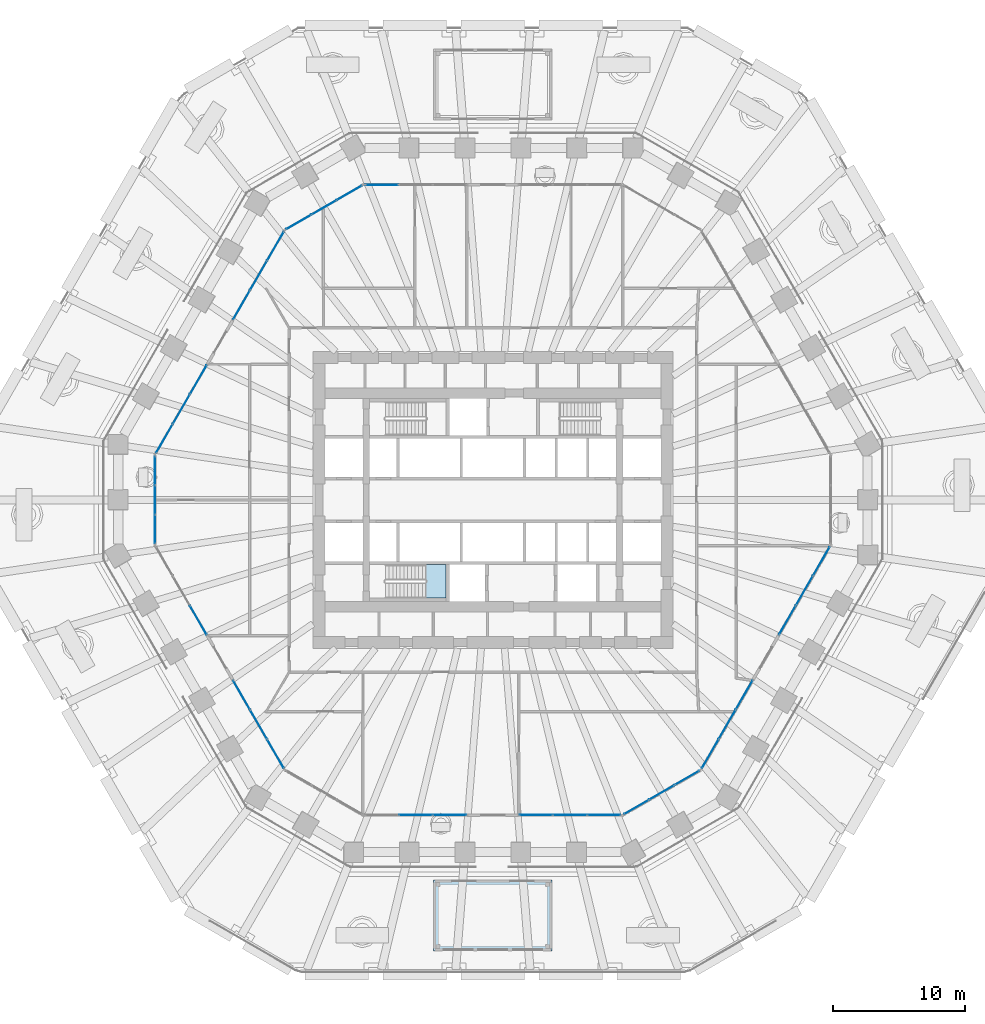
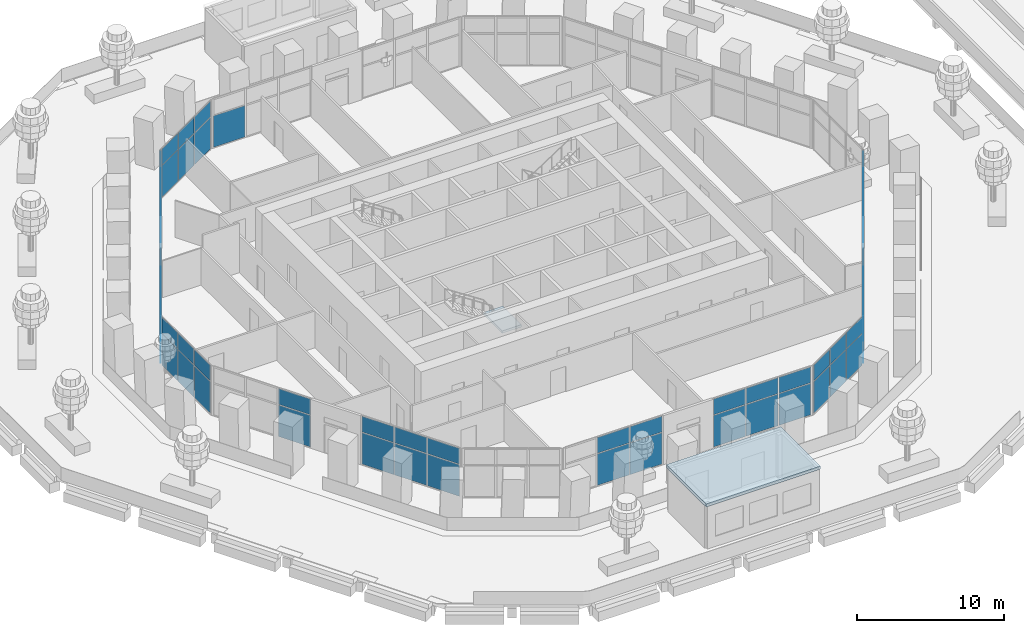
# One storey, part 19 of 32: 61 plates, 2 slabs, 13 elements without a shape of their own.
"""IFC4 building model written with IfcOpenShell, lengths in metres."""

from ifc_helpers import new_model, si_unit, direction, frame, origin, origin_2d, place, context, subcontext, project, spatial, polyline, rectangle, outline, extrude, material, layer, layer_set, type_object, element, aggregate, save


model = new_model("IFC4")

# Units and contexts
model_context = context("Model", 3, precision=1e-05, world=origin(), true_north=direction((0.0, 1.0)))
body_context = subcontext(model_context, "Body", "Model", "MODEL_VIEW")
ifc_project = project(units=[si_unit("LENGTHUNIT", "METRE"), si_unit("AREAUNIT", "SQUARE_METRE"), si_unit("VOLUMEUNIT", "CUBIC_METRE"), si_unit("PLANEANGLEUNIT", "RADIAN"), si_unit("MASSUNIT", "GRAM", prefix="KILO")], contexts=[model_context])

# Site, building, storey
site_placement = place(None, origin())
site = spatial("IfcSite", under=ifc_project, at=site_placement, CompositionType="ELEMENT")
building_placement = place(site_placement, origin())
building = spatial("IfcBuilding", under=site, at=building_placement, Name="Frailejon Research Tower", CompositionType="ELEMENT")
storey_placement = place(building_placement, frame((0.0, 0.0, 14.60009765625)))
storey = spatial("IfcBuildingStorey", under=building, at=storey_placement, Name="L03", CompositionType="ELEMENT", Elevation=14.60009765625)

# Curtain wall, plate
ifc_material_1 = material(Name="Aluminium curtain wall", Category="aluminium")
curtain_wall_type = type_object("IfcCurtainWallType", Name="Base zone unitised curtain wall system", PredefinedType="NOTDEFINED", material=ifc_material_1)
curtain_wall_1_placement = place(storey_placement, origin())
curtain_wall_1 = element("IfcCurtainWall", 1, at=curtain_wall_1_placement, inside=storey, type_object=curtain_wall_type, Name="Curtain wall L03", PredefinedType="NOTDEFINED")
ifc_material_2 = material(Name="Clear laminated glass", Category="glass")
ifc_layer_1 = layer(ifc_material_2, 0.028076171875)
ifc_layer_set_1 = layer_set([ifc_layer_1], Name="Base zone unitised curtain wall glass panel 28")
plate_type = type_object("IfcPlateType", Name="Base zone unitised curtain wall glass panel 28", PredefinedType="CURTAIN_PANEL", material=ifc_layer_set_1)
plate_1_placement = place(storey_placement, frame((-8.420654296875, 23.89990234375, 0.06005859375), z_axis=(0.0, 0.0, 1.0), x_axis=(-1.0, 0.0, 0.0)))
plate_1 = element("IfcPlate", 2, at=plate_1_placement, type_object=plate_type, Name="CW3-050 panel 3.1", PredefinedType="CURTAIN_PANEL", context=body_context, shape_type="SweptSolid", body=[
    extrude(rectangle(XDim=2.497802734375, YDim=0.028076171875, at=origin_2d()), origin(), (0.0, 0.0, 1.0), 2.610107421875),
])
aggregate(curtain_wall_1, [plate_1])

# Curtain wall, plates
curtain_wall_2_placement = place(storey_placement, origin())
curtain_wall_2 = element("IfcCurtainWall", 3, at=curtain_wall_2_placement, inside=storey, type_object=curtain_wall_type, Name="Curtain wall L03", PredefinedType="NOTDEFINED")
plate_2_placement = place(storey_placement, frame((-10.892578125, 23.286376953125, 0.06005859375), z_axis=(0.0, 0.0, 1.0), x_axis=(-0.866026409075, -0.499998258782, 0.0)))
plate_2 = element("IfcPlate", 4, at=plate_2_placement, type_object=plate_type, Name="CW3-051 panel 1.1", PredefinedType="CURTAIN_PANEL", context=body_context, shape_type="SweptSolid", body=[
    extrude(rectangle(XDim=2.134765625, YDim=0.028076171875, at=origin_2d()), origin(), (0.0, 0.0, 1.0), 2.610107421875),
])
plate_3_placement = place(storey_placement, frame((-10.892578125, 23.286376953125, 2.72998046875), z_axis=(0.0, 0.0, 1.0), x_axis=(-0.866026409075, -0.499998258782, 0.0)))
plate_3 = element("IfcPlate", 5, at=plate_3_placement, type_object=plate_type, Name="CW3-051 panel 1.2", PredefinedType="CURTAIN_PANEL", context=body_context, shape_type="SweptSolid", body=[
    extrude(rectangle(XDim=2.134765625, YDim=0.028076171875, at=origin_2d()), origin(), (0.0, 0.0, 1.0), 1.31005859375),
])
plate_4_placement = place(storey_placement, frame((-12.806396484375, 22.181396484375, 0.06005859375), z_axis=(0.0, 0.0, 1.0), x_axis=(-0.866026409075, -0.499998258782, 0.0)))
plate_4 = element("IfcPlate", 6, at=plate_4_placement, type_object=plate_type, Name="CW3-051 panel 2.1", PredefinedType="CURTAIN_PANEL", context=body_context, shape_type="SweptSolid", body=[
    extrude(rectangle(XDim=2.164794921875, YDim=0.028076171875, at=origin_2d()), origin(), (0.0, 0.0, 1.0), 2.610107421875),
])
plate_5_placement = place(storey_placement, frame((-12.806396484375, 22.181396484375, 2.72998046875), z_axis=(0.0, 0.0, 1.0), x_axis=(-0.866026409075, -0.499998258782, 0.0)))
plate_5 = element("IfcPlate", 7, at=plate_5_placement, type_object=plate_type, Name="CW3-051 panel 2.2", PredefinedType="CURTAIN_PANEL", context=body_context, shape_type="SweptSolid", body=[
    extrude(rectangle(XDim=2.164794921875, YDim=0.028076171875, at=origin_2d()), origin(), (0.0, 0.0, 1.0), 1.31005859375),
])
plate_6_placement = place(storey_placement, frame((-14.72021484375, 21.076416015625, 0.06005859375), z_axis=(0.0, 0.0, 1.0), x_axis=(-0.866026409075, -0.499998258782, 0.0)))
plate_6 = element("IfcPlate", 8, at=plate_6_placement, type_object=plate_type, Name="CW3-051 panel 3.1", PredefinedType="CURTAIN_PANEL", context=body_context, shape_type="SweptSolid", body=[
    extrude(rectangle(XDim=2.134765625, YDim=0.028076171875, at=origin_2d()), origin(), (0.0, 0.0, 1.0), 2.610107421875),
])
plate_7_placement = place(storey_placement, frame((-14.72021484375, 21.076416015625, 2.72998046875), z_axis=(0.0, 0.0, 1.0), x_axis=(-0.866026409075, -0.499998258782, 0.0)))
plate_7 = element("IfcPlate", 9, at=plate_7_placement, type_object=plate_type, Name="CW3-051 panel 3.2", PredefinedType="CURTAIN_PANEL", context=body_context, shape_type="SweptSolid", body=[
    extrude(rectangle(XDim=2.134765625, YDim=0.028076171875, at=origin_2d()), origin(), (0.0, 0.0, 1.0), 1.31005859375),
])
aggregate(curtain_wall_2, [plate_2, plate_3, plate_4, plate_5, plate_6, plate_7])

curtain_wall_3_placement = place(storey_placement, origin())
curtain_wall_3 = element("IfcCurtainWall", 10, at=curtain_wall_3_placement, inside=storey, type_object=curtain_wall_type, Name="Curtain wall L03", PredefinedType="NOTDEFINED")
plate_8_placement = place(storey_placement, frame((-16.487548828125, 19.242431640625, 0.06005859375), z_axis=(0.0, 0.0, 1.0), x_axis=(-0.499993018474, -0.866029434533, 0.0)))
plate_8 = element("IfcPlate", 11, at=plate_8_placement, type_object=plate_type, Name="CW3-052 panel 1.1", PredefinedType="CURTAIN_PANEL", context=body_context, shape_type="SweptSolid", body=[
    extrude(rectangle(XDim=2.497802734375, YDim=0.028076171875, at=origin_2d()), origin(), (0.0, 0.0, 1.0), 2.610107421875),
])
plate_9_placement = place(storey_placement, frame((-16.487548828125, 19.242431640625, 2.72998046875), z_axis=(0.0, 0.0, 1.0), x_axis=(-0.499993018474, -0.866029434533, 0.0)))
plate_9 = element("IfcPlate", 12, at=plate_9_placement, type_object=plate_type, Name="CW3-052 panel 1.2", PredefinedType="CURTAIN_PANEL", context=body_context, shape_type="SweptSolid", body=[
    extrude(rectangle(XDim=2.497802734375, YDim=0.028076171875, at=origin_2d()), origin(), (0.0, 0.0, 1.0), 1.31005859375),
])
plate_10_placement = place(storey_placement, frame((-17.774169921875, 17.014404296875, 0.06005859375), z_axis=(0.0, 0.0, 1.0), x_axis=(-0.499993018474, -0.866029434533, 0.0)))
plate_10 = element("IfcPlate", 13, at=plate_10_placement, type_object=plate_type, Name="CW3-052 panel 2.1", PredefinedType="CURTAIN_PANEL", context=body_context, shape_type="SweptSolid", body=[
    extrude(rectangle(XDim=2.52783203125, YDim=0.028076171875, at=origin_2d()), origin(), (0.0, 0.0, 1.0), 2.610107421875),
])
plate_11_placement = place(storey_placement, frame((-17.774169921875, 17.014404296875, 2.72998046875), z_axis=(0.0, 0.0, 1.0), x_axis=(-0.499993018474, -0.866029434533, 0.0)))
plate_11 = element("IfcPlate", 14, at=plate_11_placement, type_object=plate_type, Name="CW3-052 panel 2.2", PredefinedType="CURTAIN_PANEL", context=body_context, shape_type="SweptSolid", body=[
    extrude(rectangle(XDim=2.52783203125, YDim=0.028076171875, at=origin_2d()), origin(), (0.0, 0.0, 1.0), 1.31005859375),
])
plate_12_placement = place(storey_placement, frame((-19.060546875, 14.7861328125, 0.06005859375), z_axis=(0.0, 0.0, 1.0), x_axis=(-0.499993018474, -0.866029434533, 0.0)))
plate_12 = element("IfcPlate", 15, at=plate_12_placement, type_object=plate_type, Name="CW3-052 panel 3.1", PredefinedType="CURTAIN_PANEL", context=body_context, shape_type="SweptSolid", body=[
    extrude(rectangle(XDim=2.497802734375, YDim=0.028076171875, at=origin_2d()), origin(), (0.0, 0.0, 1.0), 2.610107421875),
])
plate_13_placement = place(storey_placement, frame((-19.060546875, 14.7861328125, 2.72998046875), z_axis=(0.0, 0.0, 1.0), x_axis=(-0.499993018474, -0.866029434533, 0.0)))
plate_13 = element("IfcPlate", 16, at=plate_13_placement, type_object=plate_type, Name="CW3-052 panel 3.2", PredefinedType="CURTAIN_PANEL", context=body_context, shape_type="SweptSolid", body=[
    extrude(rectangle(XDim=2.497802734375, YDim=0.028076171875, at=origin_2d()), origin(), (0.0, 0.0, 1.0), 1.31005859375),
])
aggregate(curtain_wall_3, [plate_8, plate_9, plate_10, plate_11, plate_12, plate_13])

curtain_wall_4_placement = place(storey_placement, origin())
curtain_wall_4 = element("IfcCurtainWall", 17, at=curtain_wall_4_placement, inside=storey, type_object=curtain_wall_type, Name="Curtain wall L03", PredefinedType="NOTDEFINED")
plate_14_placement = place(storey_placement, frame((-22.33544921875, 9.114013671875, 0.06005859375), z_axis=(0.0, 0.0, 1.0), x_axis=(-0.499993018474, -0.866029434533, 0.0)))
plate_14 = element("IfcPlate", 18, at=plate_14_placement, type_object=plate_type, Name="CW3-053 panel 1.1", PredefinedType="CURTAIN_PANEL", context=body_context, shape_type="SweptSolid", body=[
    extrude(rectangle(XDim=2.497802734375, YDim=0.028076171875, at=origin_2d()), origin(), (0.0, 0.0, 1.0), 2.610107421875),
])
plate_15_placement = place(storey_placement, frame((-22.33544921875, 9.114013671875, 2.72998046875), z_axis=(0.0, 0.0, 1.0), x_axis=(-0.499993018474, -0.866029434533, 0.0)))
plate_15 = element("IfcPlate", 19, at=plate_15_placement, type_object=plate_type, Name="CW3-053 panel 1.2", PredefinedType="CURTAIN_PANEL", context=body_context, shape_type="SweptSolid", body=[
    extrude(rectangle(XDim=2.497802734375, YDim=0.028076171875, at=origin_2d()), origin(), (0.0, 0.0, 1.0), 1.31005859375),
])
plate_16_placement = place(storey_placement, frame((-23.621826171875, 6.8857421875, 0.06005859375), z_axis=(0.0, 0.0, 1.0), x_axis=(-0.499993018474, -0.866029434533, 0.0)))
plate_16 = element("IfcPlate", 20, at=plate_16_placement, type_object=plate_type, Name="CW3-053 panel 2.1", PredefinedType="CURTAIN_PANEL", context=body_context, shape_type="SweptSolid", body=[
    extrude(rectangle(XDim=2.52783203125, YDim=0.028076171875, at=origin_2d()), origin(), (0.0, 0.0, 1.0), 2.610107421875),
])
plate_17_placement = place(storey_placement, frame((-23.621826171875, 6.8857421875, 2.72998046875), z_axis=(0.0, 0.0, 1.0), x_axis=(-0.499993018474, -0.866029434533, 0.0)))
plate_17 = element("IfcPlate", 21, at=plate_17_placement, type_object=plate_type, Name="CW3-053 panel 2.2", PredefinedType="CURTAIN_PANEL", context=body_context, shape_type="SweptSolid", body=[
    extrude(rectangle(XDim=2.52783203125, YDim=0.028076171875, at=origin_2d()), origin(), (0.0, 0.0, 1.0), 1.31005859375),
])
plate_18_placement = place(storey_placement, frame((-24.908447265625, 4.657470703125, 0.06005859375), z_axis=(0.0, 0.0, 1.0), x_axis=(-0.499993018474, -0.866029434533, 0.0)))
plate_18 = element("IfcPlate", 22, at=plate_18_placement, type_object=plate_type, Name="CW3-053 panel 3.1", PredefinedType="CURTAIN_PANEL", context=body_context, shape_type="SweptSolid", body=[
    extrude(rectangle(XDim=2.497802734375, YDim=0.028076171875, at=origin_2d()), origin(), (0.0, 0.0, 1.0), 2.610107421875),
])
plate_19_placement = place(storey_placement, frame((-24.908447265625, 4.657470703125, 2.72998046875), z_axis=(0.0, 0.0, 1.0), x_axis=(-0.499993018474, -0.866029434533, 0.0)))
plate_19 = element("IfcPlate", 23, at=plate_19_placement, type_object=plate_type, Name="CW3-053 panel 3.2", PredefinedType="CURTAIN_PANEL", context=body_context, shape_type="SweptSolid", body=[
    extrude(rectangle(XDim=2.497802734375, YDim=0.028076171875, at=origin_2d()), origin(), (0.0, 0.0, 1.0), 1.31005859375),
])
aggregate(curtain_wall_4, [plate_14, plate_15, plate_16, plate_17, plate_18, plate_19])

curtain_wall_5_placement = place(storey_placement, origin())
curtain_wall_5 = element("IfcCurtainWall", 24, at=curtain_wall_5_placement, inside=storey, type_object=curtain_wall_type, Name="Curtain wall L03", PredefinedType="NOTDEFINED")
plate_20_placement = place(storey_placement, frame((-25.61279296875, 2.2099609375, 0.06005859375), z_axis=(0.0, 0.0, 1.0), x_axis=(0.0, -1.0, 0.0)))
plate_20 = element("IfcPlate", 25, at=plate_20_placement, type_object=plate_type, Name="CW3-054 panel 1.1", PredefinedType="CURTAIN_PANEL", context=body_context, shape_type="SweptSolid", body=[
    extrude(rectangle(XDim=2.134765625, YDim=0.028076171875, at=origin_2d()), origin(), (0.0, 0.0, 1.0), 2.610107421875),
])
plate_21_placement = place(storey_placement, frame((-25.61279296875, 2.2099609375, 2.72998046875), z_axis=(0.0, 0.0, 1.0), x_axis=(0.0, -1.0, 0.0)))
plate_21 = element("IfcPlate", 26, at=plate_21_placement, type_object=plate_type, Name="CW3-054 panel 1.2", PredefinedType="CURTAIN_PANEL", context=body_context, shape_type="SweptSolid", body=[
    extrude(rectangle(XDim=2.134765625, YDim=0.028076171875, at=origin_2d()), origin(), (0.0, 0.0, 1.0), 1.31005859375),
])
plate_22_placement = place(storey_placement, frame((-25.61279296875, 0.0, 0.06005859375), z_axis=(0.0, 0.0, 1.0), x_axis=(0.0, -1.0, 0.0)))
plate_22 = element("IfcPlate", 27, at=plate_22_placement, type_object=plate_type, Name="CW3-054 panel 2.1", PredefinedType="CURTAIN_PANEL", context=body_context, shape_type="SweptSolid", body=[
    extrude(rectangle(XDim=2.164794921875, YDim=0.028076171875, at=origin_2d()), origin(), (0.0, 0.0, 1.0), 2.610107421875),
])
plate_23_placement = place(storey_placement, frame((-25.61279296875, 0.0, 2.72998046875), z_axis=(0.0, 0.0, 1.0), x_axis=(0.0, -1.0, 0.0)))
plate_23 = element("IfcPlate", 28, at=plate_23_placement, type_object=plate_type, Name="CW3-054 panel 2.2", PredefinedType="CURTAIN_PANEL", context=body_context, shape_type="SweptSolid", body=[
    extrude(rectangle(XDim=2.164794921875, YDim=0.028076171875, at=origin_2d()), origin(), (0.0, 0.0, 1.0), 1.31005859375),
])
plate_24_placement = place(storey_placement, frame((-25.61279296875, -2.2099609375, 0.06005859375), z_axis=(0.0, 0.0, 1.0), x_axis=(0.0, -1.0, 0.0)))
plate_24 = element("IfcPlate", 29, at=plate_24_placement, type_object=plate_type, Name="CW3-054 panel 3.1", PredefinedType="CURTAIN_PANEL", context=body_context, shape_type="SweptSolid", body=[
    extrude(rectangle(XDim=2.134765625, YDim=0.028076171875, at=origin_2d()), origin(), (0.0, 0.0, 1.0), 2.610107421875),
])
plate_25_placement = place(storey_placement, frame((-25.61279296875, -2.2099609375, 2.72998046875), z_axis=(0.0, 0.0, 1.0), x_axis=(0.0, -1.0, 0.0)))
plate_25 = element("IfcPlate", 30, at=plate_25_placement, type_object=plate_type, Name="CW3-054 panel 3.2", PredefinedType="CURTAIN_PANEL", context=body_context, shape_type="SweptSolid", body=[
    extrude(rectangle(XDim=2.134765625, YDim=0.028076171875, at=origin_2d()), origin(), (0.0, 0.0, 1.0), 1.31005859375),
])
aggregate(curtain_wall_5, [plate_20, plate_21, plate_22, plate_23, plate_24, plate_25])

curtain_wall_6_placement = place(storey_placement, origin())
curtain_wall_6 = element("IfcCurtainWall", 31, at=curtain_wall_6_placement, inside=storey, type_object=curtain_wall_type, Name="Curtain wall L03", PredefinedType="NOTDEFINED")
plate_26_placement = place(storey_placement, frame((-22.33544921875, -9.114013671875, 0.06005859375), z_axis=(0.0, 0.0, 1.0), x_axis=(0.499993018474, -0.866029434533, 0.0)))
plate_26 = element("IfcPlate", 32, at=plate_26_placement, type_object=plate_type, Name="CW3-055 panel 3.1", PredefinedType="CURTAIN_PANEL", context=body_context, shape_type="SweptSolid", body=[
    extrude(rectangle(XDim=2.497802734375, YDim=0.028076171875, at=origin_2d()), origin(), (0.0, 0.0, 1.0), 2.610107421875),
])
plate_27_placement = place(storey_placement, frame((-22.33544921875, -9.114013671875, 2.72998046875), z_axis=(0.0, 0.0, 1.0), x_axis=(0.499993018474, -0.866029434533, 0.0)))
plate_27 = element("IfcPlate", 33, at=plate_27_placement, type_object=plate_type, Name="CW3-055 panel 3.2", PredefinedType="CURTAIN_PANEL", context=body_context, shape_type="SweptSolid", body=[
    extrude(rectangle(XDim=2.497802734375, YDim=0.028076171875, at=origin_2d()), origin(), (0.0, 0.0, 1.0), 1.31005859375),
])
aggregate(curtain_wall_6, [plate_26, plate_27])

curtain_wall_7_placement = place(storey_placement, origin())
curtain_wall_7 = element("IfcCurtainWall", 34, at=curtain_wall_7_placement, inside=storey, type_object=curtain_wall_type, Name="Curtain wall L03", PredefinedType="NOTDEFINED")
plate_28_placement = place(storey_placement, frame((-19.060546875, -14.7861328125, 0.06005859375), z_axis=(0.0, 0.0, 1.0), x_axis=(0.499993018474, -0.866029434533, 0.0)))
plate_28 = element("IfcPlate", 35, at=plate_28_placement, type_object=plate_type, Name="CW3-056 panel 1.1", PredefinedType="CURTAIN_PANEL", context=body_context, shape_type="SweptSolid", body=[
    extrude(rectangle(XDim=2.497802734375, YDim=0.028076171875, at=origin_2d()), origin(), (0.0, 0.0, 1.0), 2.610107421875),
])
plate_29_placement = place(storey_placement, frame((-19.060546875, -14.7861328125, 2.72998046875), z_axis=(0.0, 0.0, 1.0), x_axis=(0.499993018474, -0.866029434533, 0.0)))
plate_29 = element("IfcPlate", 36, at=plate_29_placement, type_object=plate_type, Name="CW3-056 panel 1.2", PredefinedType="CURTAIN_PANEL", context=body_context, shape_type="SweptSolid", body=[
    extrude(rectangle(XDim=2.497802734375, YDim=0.028076171875, at=origin_2d()), origin(), (0.0, 0.0, 1.0), 1.31005859375),
])
plate_30_placement = place(storey_placement, frame((-17.774169921875, -17.014404296875, 0.06005859375), z_axis=(0.0, 0.0, 1.0), x_axis=(0.499993018474, -0.866029434533, 0.0)))
plate_30 = element("IfcPlate", 37, at=plate_30_placement, type_object=plate_type, Name="CW3-056 panel 2.1", PredefinedType="CURTAIN_PANEL", context=body_context, shape_type="SweptSolid", body=[
    extrude(rectangle(XDim=2.52783203125, YDim=0.028076171875, at=origin_2d()), origin(), (0.0, 0.0, 1.0), 2.610107421875),
])
plate_31_placement = place(storey_placement, frame((-17.774169921875, -17.014404296875, 2.72998046875), z_axis=(0.0, 0.0, 1.0), x_axis=(0.499993018474, -0.866029434533, 0.0)))
plate_31 = element("IfcPlate", 38, at=plate_31_placement, type_object=plate_type, Name="CW3-056 panel 2.2", PredefinedType="CURTAIN_PANEL", context=body_context, shape_type="SweptSolid", body=[
    extrude(rectangle(XDim=2.52783203125, YDim=0.028076171875, at=origin_2d()), origin(), (0.0, 0.0, 1.0), 1.31005859375),
])
plate_32_placement = place(storey_placement, frame((-16.487548828125, -19.242431640625, 0.06005859375), z_axis=(0.0, 0.0, 1.0), x_axis=(0.499993018474, -0.866029434533, 0.0)))
plate_32 = element("IfcPlate", 39, at=plate_32_placement, type_object=plate_type, Name="CW3-056 panel 3.1", PredefinedType="CURTAIN_PANEL", context=body_context, shape_type="SweptSolid", body=[
    extrude(rectangle(XDim=2.497802734375, YDim=0.028076171875, at=origin_2d()), origin(), (0.0, 0.0, 1.0), 2.610107421875),
])
plate_33_placement = place(storey_placement, frame((-16.487548828125, -19.242431640625, 2.72998046875), z_axis=(0.0, 0.0, 1.0), x_axis=(0.499993018474, -0.866029434533, 0.0)))
plate_33 = element("IfcPlate", 40, at=plate_33_placement, type_object=plate_type, Name="CW3-056 panel 3.2", PredefinedType="CURTAIN_PANEL", context=body_context, shape_type="SweptSolid", body=[
    extrude(rectangle(XDim=2.497802734375, YDim=0.028076171875, at=origin_2d()), origin(), (0.0, 0.0, 1.0), 1.31005859375),
])
aggregate(curtain_wall_7, [plate_28, plate_29, plate_30, plate_31, plate_32, plate_33])

curtain_wall_8_placement = place(storey_placement, origin())
curtain_wall_8 = element("IfcCurtainWall", 41, at=curtain_wall_8_placement, inside=storey, type_object=curtain_wall_type, Name="Curtain wall L03", PredefinedType="NOTDEFINED")
plate_34_placement = place(storey_placement, frame((-5.84765625, -23.89990234375, 0.06005859375), z_axis=(0.0, 0.0, 1.0), x_axis=(1.0, 0.0, 0.0)))
plate_34 = element("IfcPlate", 42, at=plate_34_placement, type_object=plate_type, Name="CW3-058 panel 2.1", PredefinedType="CURTAIN_PANEL", context=body_context, shape_type="SweptSolid", body=[
    extrude(rectangle(XDim=2.52783203125, YDim=0.028076171875, at=origin_2d()), origin(), (0.0, 0.0, 1.0), 2.610107421875),
])
plate_35_placement = place(storey_placement, frame((-5.84765625, -23.89990234375, 2.72998046875), z_axis=(0.0, 0.0, 1.0), x_axis=(1.0, 0.0, 0.0)))
plate_35 = element("IfcPlate", 43, at=plate_35_placement, type_object=plate_type, Name="CW3-058 panel 2.2", PredefinedType="CURTAIN_PANEL", context=body_context, shape_type="SweptSolid", body=[
    extrude(rectangle(XDim=2.52783203125, YDim=0.028076171875, at=origin_2d()), origin(), (0.0, 0.0, 1.0), 1.31005859375),
])
plate_36_placement = place(storey_placement, frame((-3.27490234375, -23.89990234375, 0.06005859375), z_axis=(0.0, 0.0, 1.0), x_axis=(1.0, 0.0, 0.0)))
plate_36 = element("IfcPlate", 44, at=plate_36_placement, type_object=plate_type, Name="CW3-058 panel 3.1", PredefinedType="CURTAIN_PANEL", context=body_context, shape_type="SweptSolid", body=[
    extrude(rectangle(XDim=2.497802734375, YDim=0.028076171875, at=origin_2d()), origin(), (0.0, 0.0, 1.0), 2.610107421875),
])
plate_37_placement = place(storey_placement, frame((-3.27490234375, -23.89990234375, 2.72998046875), z_axis=(0.0, 0.0, 1.0), x_axis=(1.0, 0.0, 0.0)))
plate_37 = element("IfcPlate", 45, at=plate_37_placement, type_object=plate_type, Name="CW3-058 panel 3.2", PredefinedType="CURTAIN_PANEL", context=body_context, shape_type="SweptSolid", body=[
    extrude(rectangle(XDim=2.497802734375, YDim=0.028076171875, at=origin_2d()), origin(), (0.0, 0.0, 1.0), 1.31005859375),
])
aggregate(curtain_wall_8, [plate_34, plate_35, plate_36, plate_37])

curtain_wall_9_placement = place(storey_placement, origin())
curtain_wall_9 = element("IfcCurtainWall", 46, at=curtain_wall_9_placement, inside=storey, type_object=curtain_wall_type, Name="Curtain wall L03", PredefinedType="NOTDEFINED")
plate_38_placement = place(storey_placement, frame((3.27490234375, -23.89990234375, 0.06005859375), z_axis=(0.0, 0.0, 1.0), x_axis=(1.0, 0.0, 0.0)))
plate_38 = element("IfcPlate", 47, at=plate_38_placement, type_object=plate_type, Name="CW3-059 panel 1.1", PredefinedType="CURTAIN_PANEL", context=body_context, shape_type="SweptSolid", body=[
    extrude(rectangle(XDim=2.497802734375, YDim=0.028076171875, at=origin_2d()), origin(), (0.0, 0.0, 1.0), 2.610107421875),
])
plate_39_placement = place(storey_placement, frame((3.27490234375, -23.89990234375, 2.72998046875), z_axis=(0.0, 0.0, 1.0), x_axis=(1.0, 0.0, 0.0)))
plate_39 = element("IfcPlate", 48, at=plate_39_placement, type_object=plate_type, Name="CW3-059 panel 1.2", PredefinedType="CURTAIN_PANEL", context=body_context, shape_type="SweptSolid", body=[
    extrude(rectangle(XDim=2.497802734375, YDim=0.028076171875, at=origin_2d()), origin(), (0.0, 0.0, 1.0), 1.31005859375),
])
plate_40_placement = place(storey_placement, frame((5.84765625, -23.89990234375, 0.06005859375), z_axis=(0.0, 0.0, 1.0), x_axis=(1.0, 0.0, 0.0)))
plate_40 = element("IfcPlate", 49, at=plate_40_placement, type_object=plate_type, Name="CW3-059 panel 2.1", PredefinedType="CURTAIN_PANEL", context=body_context, shape_type="SweptSolid", body=[
    extrude(rectangle(XDim=2.52783203125, YDim=0.028076171875, at=origin_2d()), origin(), (0.0, 0.0, 1.0), 2.610107421875),
])
plate_41_placement = place(storey_placement, frame((5.84765625, -23.89990234375, 2.72998046875), z_axis=(0.0, 0.0, 1.0), x_axis=(1.0, 0.0, 0.0)))
plate_41 = element("IfcPlate", 50, at=plate_41_placement, type_object=plate_type, Name="CW3-059 panel 2.2", PredefinedType="CURTAIN_PANEL", context=body_context, shape_type="SweptSolid", body=[
    extrude(rectangle(XDim=2.52783203125, YDim=0.028076171875, at=origin_2d()), origin(), (0.0, 0.0, 1.0), 1.31005859375),
])
plate_42_placement = place(storey_placement, frame((8.420654296875, -23.89990234375, 0.06005859375), z_axis=(0.0, 0.0, 1.0), x_axis=(1.0, 0.0, 0.0)))
plate_42 = element("IfcPlate", 51, at=plate_42_placement, type_object=plate_type, Name="CW3-059 panel 3.1", PredefinedType="CURTAIN_PANEL", context=body_context, shape_type="SweptSolid", body=[
    extrude(rectangle(XDim=2.497802734375, YDim=0.028076171875, at=origin_2d()), origin(), (0.0, 0.0, 1.0), 2.610107421875),
])
plate_43_placement = place(storey_placement, frame((8.420654296875, -23.89990234375, 2.72998046875), z_axis=(0.0, 0.0, 1.0), x_axis=(1.0, 0.0, 0.0)))
plate_43 = element("IfcPlate", 52, at=plate_43_placement, type_object=plate_type, Name="CW3-059 panel 3.2", PredefinedType="CURTAIN_PANEL", context=body_context, shape_type="SweptSolid", body=[
    extrude(rectangle(XDim=2.497802734375, YDim=0.028076171875, at=origin_2d()), origin(), (0.0, 0.0, 1.0), 1.31005859375),
])
aggregate(curtain_wall_9, [plate_38, plate_39, plate_40, plate_41, plate_42, plate_43])

curtain_wall_10_placement = place(storey_placement, origin())
curtain_wall_10 = element("IfcCurtainWall", 53, at=curtain_wall_10_placement, inside=storey, type_object=curtain_wall_type, Name="Curtain wall L03", PredefinedType="NOTDEFINED")
plate_44_placement = place(storey_placement, frame((10.892578125, -23.286376953125, 0.06005859375), z_axis=(0.0, 0.0, 1.0), x_axis=(0.866026409075, 0.499998258782, 0.0)))
plate_44 = element("IfcPlate", 54, at=plate_44_placement, type_object=plate_type, Name="CW3-060 panel 1.1", PredefinedType="CURTAIN_PANEL", context=body_context, shape_type="SweptSolid", body=[
    extrude(rectangle(XDim=2.134765625, YDim=0.028076171875, at=origin_2d()), origin(), (0.0, 0.0, 1.0), 2.610107421875),
])
plate_45_placement = place(storey_placement, frame((10.892578125, -23.286376953125, 2.72998046875), z_axis=(0.0, 0.0, 1.0), x_axis=(0.866026409075, 0.499998258782, 0.0)))
plate_45 = element("IfcPlate", 55, at=plate_45_placement, type_object=plate_type, Name="CW3-060 panel 1.2", PredefinedType="CURTAIN_PANEL", context=body_context, shape_type="SweptSolid", body=[
    extrude(rectangle(XDim=2.134765625, YDim=0.028076171875, at=origin_2d()), origin(), (0.0, 0.0, 1.0), 1.31005859375),
])
plate_46_placement = place(storey_placement, frame((12.806396484375, -22.181396484375, 0.06005859375), z_axis=(0.0, 0.0, 1.0), x_axis=(0.866026409075, 0.499998258782, 0.0)))
plate_46 = element("IfcPlate", 56, at=plate_46_placement, type_object=plate_type, Name="CW3-060 panel 2.1", PredefinedType="CURTAIN_PANEL", context=body_context, shape_type="SweptSolid", body=[
    extrude(rectangle(XDim=2.164794921875, YDim=0.028076171875, at=origin_2d()), origin(), (0.0, 0.0, 1.0), 2.610107421875),
])
plate_47_placement = place(storey_placement, frame((12.806396484375, -22.181396484375, 2.72998046875), z_axis=(0.0, 0.0, 1.0), x_axis=(0.866026409075, 0.499998258782, 0.0)))
plate_47 = element("IfcPlate", 57, at=plate_47_placement, type_object=plate_type, Name="CW3-060 panel 2.2", PredefinedType="CURTAIN_PANEL", context=body_context, shape_type="SweptSolid", body=[
    extrude(rectangle(XDim=2.164794921875, YDim=0.028076171875, at=origin_2d()), origin(), (0.0, 0.0, 1.0), 1.31005859375),
])
plate_48_placement = place(storey_placement, frame((14.72021484375, -21.076416015625, 0.06005859375), z_axis=(0.0, 0.0, 1.0), x_axis=(0.866026409075, 0.499998258782, 0.0)))
plate_48 = element("IfcPlate", 58, at=plate_48_placement, type_object=plate_type, Name="CW3-060 panel 3.1", PredefinedType="CURTAIN_PANEL", context=body_context, shape_type="SweptSolid", body=[
    extrude(rectangle(XDim=2.134765625, YDim=0.028076171875, at=origin_2d()), origin(), (0.0, 0.0, 1.0), 2.610107421875),
])
plate_49_placement = place(storey_placement, frame((14.72021484375, -21.076416015625, 2.72998046875), z_axis=(0.0, 0.0, 1.0), x_axis=(0.866026409075, 0.499998258782, 0.0)))
plate_49 = element("IfcPlate", 59, at=plate_49_placement, type_object=plate_type, Name="CW3-060 panel 3.2", PredefinedType="CURTAIN_PANEL", context=body_context, shape_type="SweptSolid", body=[
    extrude(rectangle(XDim=2.134765625, YDim=0.028076171875, at=origin_2d()), origin(), (0.0, 0.0, 1.0), 1.31005859375),
])
aggregate(curtain_wall_10, [plate_44, plate_45, plate_46, plate_47, plate_48, plate_49])

curtain_wall_11_placement = place(storey_placement, origin())
curtain_wall_11 = element("IfcCurtainWall", 60, at=curtain_wall_11_placement, inside=storey, type_object=curtain_wall_type, Name="Curtain wall L03", PredefinedType="NOTDEFINED")
plate_50_placement = place(storey_placement, frame((16.487548828125, -19.242431640625, 0.06005859375), z_axis=(0.0, 0.0, 1.0), x_axis=(0.499993018474, 0.866029434533, 0.0)))
plate_50 = element("IfcPlate", 61, at=plate_50_placement, type_object=plate_type, Name="CW3-061 panel 1.1", PredefinedType="CURTAIN_PANEL", context=body_context, shape_type="SweptSolid", body=[
    extrude(rectangle(XDim=2.497802734375, YDim=0.028076171875, at=origin_2d()), origin(), (0.0, 0.0, 1.0), 2.610107421875),
])
plate_51_placement = place(storey_placement, frame((16.487548828125, -19.242431640625, 2.72998046875), z_axis=(0.0, 0.0, 1.0), x_axis=(0.499993018474, 0.866029434533, 0.0)))
plate_51 = element("IfcPlate", 62, at=plate_51_placement, type_object=plate_type, Name="CW3-061 panel 1.2", PredefinedType="CURTAIN_PANEL", context=body_context, shape_type="SweptSolid", body=[
    extrude(rectangle(XDim=2.497802734375, YDim=0.028076171875, at=origin_2d()), origin(), (0.0, 0.0, 1.0), 1.31005859375),
])
plate_52_placement = place(storey_placement, frame((17.774169921875, -17.014404296875, 0.06005859375), z_axis=(0.0, 0.0, 1.0), x_axis=(0.499993018474, 0.866029434533, 0.0)))
plate_52 = element("IfcPlate", 63, at=plate_52_placement, type_object=plate_type, Name="CW3-061 panel 2.1", PredefinedType="CURTAIN_PANEL", context=body_context, shape_type="SweptSolid", body=[
    extrude(rectangle(XDim=2.52783203125, YDim=0.028076171875, at=origin_2d()), origin(), (0.0, 0.0, 1.0), 2.610107421875),
])
plate_53_placement = place(storey_placement, frame((17.774169921875, -17.014404296875, 2.72998046875), z_axis=(0.0, 0.0, 1.0), x_axis=(0.499993018474, 0.866029434533, 0.0)))
plate_53 = element("IfcPlate", 64, at=plate_53_placement, type_object=plate_type, Name="CW3-061 panel 2.2", PredefinedType="CURTAIN_PANEL", context=body_context, shape_type="SweptSolid", body=[
    extrude(rectangle(XDim=2.52783203125, YDim=0.028076171875, at=origin_2d()), origin(), (0.0, 0.0, 1.0), 1.31005859375),
])
plate_54_placement = place(storey_placement, frame((19.060546875, -14.7861328125, 0.06005859375), z_axis=(0.0, 0.0, 1.0), x_axis=(0.499993018474, 0.866029434533, 0.0)))
plate_54 = element("IfcPlate", 65, at=plate_54_placement, type_object=plate_type, Name="CW3-061 panel 3.1", PredefinedType="CURTAIN_PANEL", context=body_context, shape_type="SweptSolid", body=[
    extrude(rectangle(XDim=2.497802734375, YDim=0.028076171875, at=origin_2d()), origin(), (0.0, 0.0, 1.0), 2.610107421875),
])
plate_55_placement = place(storey_placement, frame((19.060546875, -14.7861328125, 2.72998046875), z_axis=(0.0, 0.0, 1.0), x_axis=(0.499993018474, 0.866029434533, 0.0)))
plate_55 = element("IfcPlate", 66, at=plate_55_placement, type_object=plate_type, Name="CW3-061 panel 3.2", PredefinedType="CURTAIN_PANEL", context=body_context, shape_type="SweptSolid", body=[
    extrude(rectangle(XDim=2.497802734375, YDim=0.028076171875, at=origin_2d()), origin(), (0.0, 0.0, 1.0), 1.31005859375),
])
aggregate(curtain_wall_11, [plate_50, plate_51, plate_52, plate_53, plate_54, plate_55])

curtain_wall_12_placement = place(storey_placement, origin())
curtain_wall_12 = element("IfcCurtainWall", 67, at=curtain_wall_12_placement, inside=storey, type_object=curtain_wall_type, Name="Curtain wall L03", PredefinedType="NOTDEFINED")
plate_56_placement = place(storey_placement, frame((22.33544921875, -9.114013671875, 0.06005859375), z_axis=(0.0, 0.0, 1.0), x_axis=(0.499993018474, 0.866029434533, 0.0)))
plate_56 = element("IfcPlate", 68, at=plate_56_placement, type_object=plate_type, Name="CW3-062 panel 1.1", PredefinedType="CURTAIN_PANEL", context=body_context, shape_type="SweptSolid", body=[
    extrude(rectangle(XDim=2.497802734375, YDim=0.028076171875, at=origin_2d()), origin(), (0.0, 0.0, 1.0), 2.610107421875),
])
plate_57_placement = place(storey_placement, frame((22.33544921875, -9.114013671875, 2.72998046875), z_axis=(0.0, 0.0, 1.0), x_axis=(0.499993018474, 0.866029434533, 0.0)))
plate_57 = element("IfcPlate", 69, at=plate_57_placement, type_object=plate_type, Name="CW3-062 panel 1.2", PredefinedType="CURTAIN_PANEL", context=body_context, shape_type="SweptSolid", body=[
    extrude(rectangle(XDim=2.497802734375, YDim=0.028076171875, at=origin_2d()), origin(), (0.0, 0.0, 1.0), 1.31005859375),
])
plate_58_placement = place(storey_placement, frame((23.621826171875, -6.8857421875, 0.06005859375), z_axis=(0.0, 0.0, 1.0), x_axis=(0.499993018474, 0.866029434533, 0.0)))
plate_58 = element("IfcPlate", 70, at=plate_58_placement, type_object=plate_type, Name="CW3-062 panel 2.1", PredefinedType="CURTAIN_PANEL", context=body_context, shape_type="SweptSolid", body=[
    extrude(rectangle(XDim=2.52783203125, YDim=0.028076171875, at=origin_2d()), origin(), (0.0, 0.0, 1.0), 2.610107421875),
])
plate_59_placement = place(storey_placement, frame((23.621826171875, -6.8857421875, 2.72998046875), z_axis=(0.0, 0.0, 1.0), x_axis=(0.499993018474, 0.866029434533, 0.0)))
plate_59 = element("IfcPlate", 71, at=plate_59_placement, type_object=plate_type, Name="CW3-062 panel 2.2", PredefinedType="CURTAIN_PANEL", context=body_context, shape_type="SweptSolid", body=[
    extrude(rectangle(XDim=2.52783203125, YDim=0.028076171875, at=origin_2d()), origin(), (0.0, 0.0, 1.0), 1.31005859375),
])
plate_60_placement = place(storey_placement, frame((24.908447265625, -4.657470703125, 0.06005859375), z_axis=(0.0, 0.0, 1.0), x_axis=(0.499993018474, 0.866029434533, 0.0)))
plate_60 = element("IfcPlate", 72, at=plate_60_placement, type_object=plate_type, Name="CW3-062 panel 3.1", PredefinedType="CURTAIN_PANEL", context=body_context, shape_type="SweptSolid", body=[
    extrude(rectangle(XDim=2.497802734375, YDim=0.028076171875, at=origin_2d()), origin(), (0.0, 0.0, 1.0), 2.610107421875),
])
plate_61_placement = place(storey_placement, frame((24.908447265625, -4.657470703125, 2.72998046875), z_axis=(0.0, 0.0, 1.0), x_axis=(0.499993018474, 0.866029434533, 0.0)))
plate_61 = element("IfcPlate", 73, at=plate_61_placement, type_object=plate_type, Name="CW3-062 panel 3.2", PredefinedType="CURTAIN_PANEL", context=body_context, shape_type="SweptSolid", body=[
    extrude(rectangle(XDim=2.497802734375, YDim=0.028076171875, at=origin_2d()), origin(), (0.0, 0.0, 1.0), 1.31005859375),
])
aggregate(curtain_wall_12, [plate_56, plate_57, plate_58, plate_59, plate_60, plate_61])

# Slab
ifc_material_3 = material(Name="Concrete C40/50", Category="concrete")
ifc_layer_2 = layer(ifc_material_3, 0.25)
ifc_layer_set_2 = layer_set([ifc_layer_2], Name="Pavilion roof slab 250")
slab_type_1 = type_object("IfcSlabType", Name="Pavilion roof slab 250", PredefinedType="ROOF", material=ifc_layer_set_2)
slab_1_placement = place(storey_placement, frame((0.0, 0.0, 3.599853515625)))
element("IfcSlab", 74, at=slab_1_placement, inside=storey, type_object=slab_type_1, Name="Garden pavilion roof L03", PredefinedType="ROOF", context=body_context, shape_type="SweptSolid", body=[
    extrude(outline(polyline([(-4.5, -28.800048828125), (-4.5, -34.199951171875), (4.5, -34.199951171875), (4.5, -28.800048828125), (-4.5, -28.800048828125)])), origin(), (0.0, 0.0, 1.0), 0.25),
])

# Stair, slab
ifc_material_4 = material(Name="Concrete C50/60", Category="concrete")
stair_type = type_object("IfcStairType", Name="Exit stair 24 risers", PredefinedType="HALF_TURN_STAIR", material=ifc_material_4)
stair_placement = place(storey_placement, origin())
stair = element("IfcStair", 75, at=stair_placement, inside=storey, type_object=stair_type, Name="L03 Exit stair ST2", PredefinedType="HALF_TURN_STAIR")
ifc_material_5 = material(Name="Concrete C50/60", Category="concrete")
ifc_layer_3 = layer(ifc_material_5, 0.199951171875)
ifc_layer_set_3 = layer_set([ifc_layer_3], Name="Stair landing slab 200")
slab_type_2 = type_object("IfcSlabType", Name="Stair landing slab 200", PredefinedType="LANDING", material=ifc_layer_set_3)
slab_2_placement = place(storey_placement, frame((0.0, 0.0, 2.0)))
slab_2 = element("IfcSlab", 76, at=slab_2_placement, type_object=slab_type_2, Name="ST2 landing 1", PredefinedType="LANDING", context=body_context, shape_type="SweptSolid", body=[
    extrude(outline(polyline([(-5.070068359375, -7.449951171875), (-3.550048828125, -7.449951171875), (-3.550048828125, -4.89990234375), (-5.070068359375, -4.89990234375), (-5.070068359375, -7.449951171875)])), origin(), (0.0, 0.0, 1.0), 0.199951171875),
])
aggregate(stair, [slab_2])

save(model, "model.ifc")
